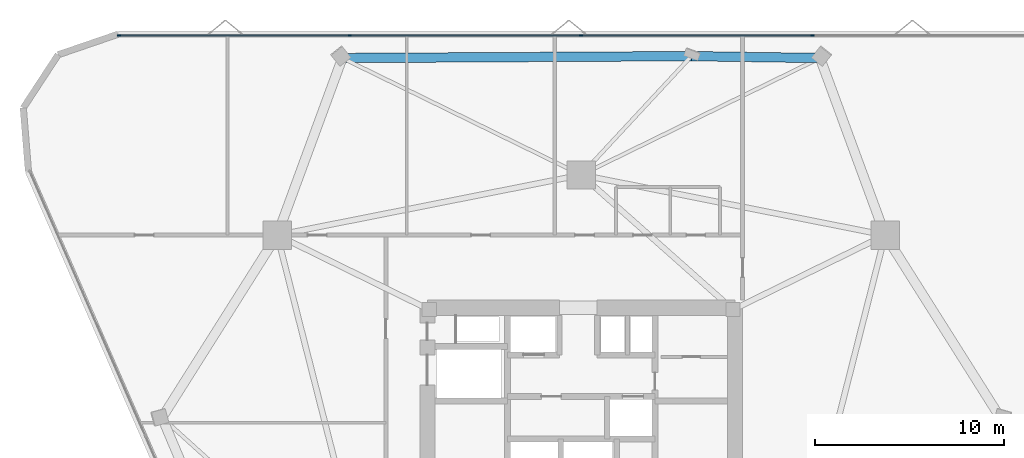
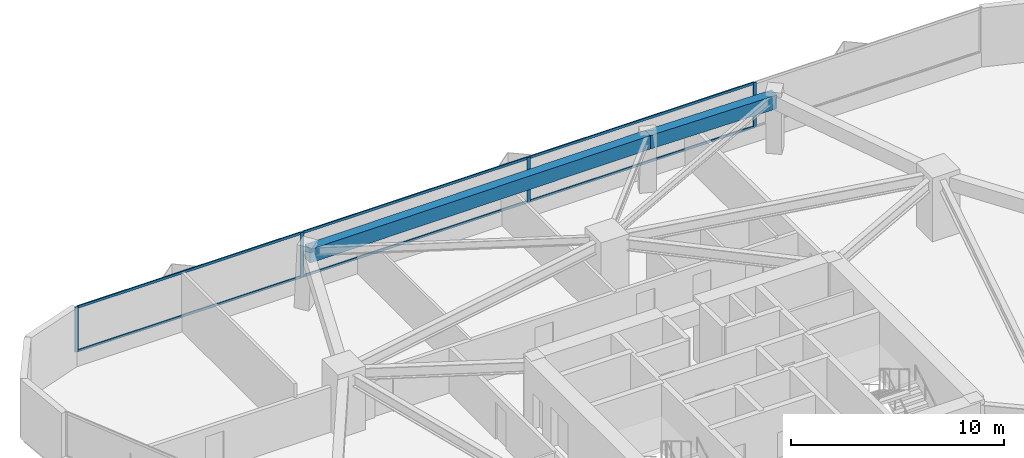
# One storey, part 8 of 15: 10 members, 2 beams, 1 element without a shape of its own.
"""IFC4 building model written with IfcOpenShell, lengths in metres."""

from ifc_helpers import new_model, si_unit, direction, frame, origin, origin_2d, place, context, subcontext, project, spatial, rectangle, extrude, material, layer, layer_set, material_profile, profile_set, type_object, element, aggregate, save


model = new_model("IFC4")

# Units and contexts
model_context = context("Model", 3, precision=1e-05, world=origin(), true_north=direction((0.0, 1.0)))
body_context = subcontext(model_context, "Body", "Model", "MODEL_VIEW")
ifc_project = project(units=[si_unit("LENGTHUNIT", "METRE"), si_unit("AREAUNIT", "SQUARE_METRE"), si_unit("VOLUMEUNIT", "CUBIC_METRE"), si_unit("PLANEANGLEUNIT", "RADIAN"), si_unit("MASSUNIT", "GRAM", prefix="KILO")], contexts=[model_context])

# Site, building, storey
site_placement = place(None, origin())
site = spatial("IfcSite", under=ifc_project, at=site_placement, CompositionType="ELEMENT")
building_placement = place(site_placement, origin())
building = spatial("IfcBuilding", under=site, at=building_placement, Name="Talyreon Biosciences Tower", CompositionType="ELEMENT")
storey_placement = place(building_placement, frame((0.0, 0.0, 127.199951171875)))
storey = spatial("IfcBuildingStorey", under=building, at=storey_placement, Name="L33", CompositionType="ELEMENT", Elevation=127.199951171875)

# Curtain wall, members
ifc_material_1 = material(Name="Thermally broken aluminium and low-E glazing", Category="aluminium")
ifc_layer = layer(ifc_material_1, 0.18505859375)
ifc_layer_set = layer_set([ifc_layer], Name="Thermally broken aluminium and low-E glazing")
curtain_wall_type = type_object("IfcCurtainWallType", Name="CurtainWall_Zone3Bioprocess", PredefinedType="NOTDEFINED", material=ifc_layer_set)
curtain_wall_placement = place(storey_placement, origin())
curtain_wall = element("IfcCurtainWall", 1, at=curtain_wall_placement, inside=storey, type_object=curtain_wall_type, Name="L33 Unitised Curtain Wall FCW-L33-04", PredefinedType="NOTDEFINED")
ifc_material_2 = material(Name="Anodised thermally broken aluminium", Category="aluminium")
ifc_material_profile_1 = material_profile(ifc_material_2, rectangle(XDim=0.06494140625, YDim=0.179931640625, at=origin_2d()), Name="ALUM MULLION 65x180")
ifc_profile_set_1 = profile_set([ifc_material_profile_1], Name="Anodised thermally broken aluminium")
member_type_1 = type_object("IfcMemberType", Name="CWMullion_65x180", PredefinedType="MULLION", material=ifc_profile_set_1)
member_1_placement = place(storey_placement, frame((41.509521484375, 89.173095703125, 0.81005859375), z_axis=(0.0, 0.0, 1.0), x_axis=(0.0, 1.0, 0.0)))
member_1 = element("IfcMember", 2, at=member_1_placement, type_object=member_type_1, Name="CW4 mullion 1", PredefinedType="MULLION", context=body_context, shape_type="SweptSolid", body=[
    extrude(rectangle(XDim=0.06494140625, YDim=0.179931640625, at=origin_2d()), origin(), (0.0, 0.0, 1.0), 2.56494140625),
])
member_2_placement = place(storey_placement, frame((53.738525390625, 89.173095703125, 0.81005859375), z_axis=(0.0, 0.0, 1.0), x_axis=(0.0, 1.0, 0.0)))
member_2 = element("IfcMember", 3, at=member_2_placement, type_object=member_type_1, Name="CW4 mullion 2", PredefinedType="MULLION", context=body_context, shape_type="SweptSolid", body=[
    extrude(rectangle(XDim=0.06494140625, YDim=0.179931640625, at=origin_2d()), origin(), (0.0, 0.0, 1.0), 2.56494140625),
])
member_3_placement = place(storey_placement, frame((66.0, 89.173095703125, 0.81005859375), z_axis=(0.0, 0.0, 1.0), x_axis=(0.0, 1.0, 0.0)))
member_3 = element("IfcMember", 4, at=member_3_placement, type_object=member_type_1, Name="CW4 mullion 3", PredefinedType="MULLION", context=body_context, shape_type="SweptSolid", body=[
    extrude(rectangle(XDim=0.06494140625, YDim=0.179931640625, at=origin_2d()), origin(), (0.0, 0.0, 1.0), 2.56494140625),
])
member_4_placement = place(storey_placement, frame((78.261474609375, 89.173095703125, 0.81005859375), z_axis=(0.0, 0.0, 1.0), x_axis=(0.0, 1.0, 0.0)))
member_4 = element("IfcMember", 5, at=member_4_placement, type_object=member_type_1, Name="CW4 mullion 4", PredefinedType="MULLION", context=body_context, shape_type="SweptSolid", body=[
    extrude(rectangle(XDim=0.06494140625, YDim=0.179931640625, at=origin_2d()), origin(), (0.0, 0.0, 1.0), 2.56494140625),
])
ifc_material_profile_2 = material_profile(ifc_material_2, rectangle(XDim=0.06494140625, YDim=0.139892578125, at=origin_2d()), Name="ALUM TRANSOM 65x140")
ifc_profile_set_2 = profile_set([ifc_material_profile_2], Name="Anodised thermally broken aluminium")
member_type_2 = type_object("IfcMemberType", Name="CWTransom_65x140", PredefinedType="USERDEFINED", material=ifc_profile_set_2)
member_5_placement = place(storey_placement, frame((41.5419921875, 89.173095703125, 0.842529296875), z_axis=(1.0, 0.0, 0.0), x_axis=(0.0, 1.0, 0.0)))
member_5 = element("IfcMember", 6, at=member_5_placement, type_object=member_type_2, Name="CW4 transom 1.1", ObjectType="TRANSOM", PredefinedType="USERDEFINED", context=body_context, shape_type="SweptSolid", body=[
    extrude(rectangle(XDim=0.06494140625, YDim=0.139892578125, at=origin_2d()), origin(), (0.0, 0.0, 1.0), 12.1640625),
])
member_6_placement = place(storey_placement, frame((41.5419921875, 89.173095703125, 3.342529296875), z_axis=(1.0, 0.0, 0.0), x_axis=(0.0, 1.0, 0.0)))
member_6 = element("IfcMember", 7, at=member_6_placement, type_object=member_type_2, Name="CW4 transom 1.2", ObjectType="TRANSOM", PredefinedType="USERDEFINED", context=body_context, shape_type="SweptSolid", body=[
    extrude(rectangle(XDim=0.06494140625, YDim=0.139892578125, at=origin_2d()), origin(), (0.0, 0.0, 1.0), 12.1640625),
])
member_7_placement = place(storey_placement, frame((53.77099609375, 89.173095703125, 0.842529296875), z_axis=(1.0, 0.0, 0.0), x_axis=(0.0, 1.0, 0.0)))
member_7 = element("IfcMember", 8, at=member_7_placement, type_object=member_type_2, Name="CW4 transom 2.1", ObjectType="TRANSOM", PredefinedType="USERDEFINED", context=body_context, shape_type="SweptSolid", body=[
    extrude(rectangle(XDim=0.06494140625, YDim=0.139892578125, at=origin_2d()), origin(), (0.0, 0.0, 1.0), 12.196533203125),
])
member_8_placement = place(storey_placement, frame((53.77099609375, 89.173095703125, 3.342529296875), z_axis=(1.0, 0.0, 0.0), x_axis=(0.0, 1.0, 0.0)))
member_8 = element("IfcMember", 9, at=member_8_placement, type_object=member_type_2, Name="CW4 transom 2.2", ObjectType="TRANSOM", PredefinedType="USERDEFINED", context=body_context, shape_type="SweptSolid", body=[
    extrude(rectangle(XDim=0.06494140625, YDim=0.139892578125, at=origin_2d()), origin(), (0.0, 0.0, 1.0), 12.196533203125),
])
member_9_placement = place(storey_placement, frame((66.032470703125, 89.173095703125, 0.842529296875), z_axis=(1.0, 0.0, 0.0), x_axis=(0.0, 1.0, 0.0)))
member_9 = element("IfcMember", 10, at=member_9_placement, type_object=member_type_2, Name="CW4 transom 3.1", ObjectType="TRANSOM", PredefinedType="USERDEFINED", context=body_context, shape_type="SweptSolid", body=[
    extrude(rectangle(XDim=0.06494140625, YDim=0.139892578125, at=origin_2d()), origin(), (0.0, 0.0, 1.0), 12.196533203125),
])
member_10_placement = place(storey_placement, frame((66.032470703125, 89.173095703125, 3.342529296875), z_axis=(1.0, 0.0, 0.0), x_axis=(0.0, 1.0, 0.0)))
member_10 = element("IfcMember", 11, at=member_10_placement, type_object=member_type_2, Name="CW4 transom 3.2", ObjectType="TRANSOM", PredefinedType="USERDEFINED", context=body_context, shape_type="SweptSolid", body=[
    extrude(rectangle(XDim=0.06494140625, YDim=0.139892578125, at=origin_2d()), origin(), (0.0, 0.0, 1.0), 12.196533203125),
])
aggregate(curtain_wall, [member_1, member_2, member_3, member_4, member_5, member_6, member_7, member_8, member_9, member_10])

# Beams
ifc_material_3 = material(Name="Precast concrete C45/55", Category="concrete")
ifc_material_profile_3 = material_profile(ifc_material_3, rectangle(XDim=0.5, YDim=0.780029296875, at=origin_2d()), Name="RCB 500x780")
ifc_profile_set_3 = profile_set([ifc_material_profile_3], Name="Precast concrete C45/55")
beam_type = type_object("IfcBeamType", Name="ExpressedSpandrel_500x780", PredefinedType="SPANDREL", material=ifc_profile_set_3)
beam_1_placement = place(storey_placement, frame((78.654052734375, 87.980712890625, 2.985107421875), z_axis=(-0.999892110575, 0.014689016637, 0.0), x_axis=(-0.014689016637, -0.999892110575, 0.0)))
element("IfcBeam", 12, at=beam_1_placement, inside=storey, type_object=beam_type, Name="L33 Expressed Horizontal Concrete Spandrel 06", PredefinedType="SPANDREL", context=body_context, shape_type="SweptSolid", body=[
    extrude(rectangle(XDim=0.5, YDim=0.780029296875, at=origin_2d()), origin(), (0.0, 0.0, 1.0), 6.814453125),
])
beam_2_placement = place(storey_placement, frame((71.84033203125, 88.080810546875, 2.985107421875), z_axis=(-0.999985353681, -0.005412247634, 0.0), x_axis=(0.005412247634, -0.999985353681, 0.0)))
element("IfcBeam", 13, at=beam_2_placement, inside=storey, type_object=beam_type, Name="L33 Expressed Horizontal Concrete Spandrel 07", PredefinedType="SPANDREL", context=body_context, shape_type="SweptSolid", body=[
    extrude(rectangle(XDim=0.5, YDim=0.780029296875, at=origin_2d()), origin(), (0.0, 0.0, 1.0), 18.49462890625),
])

save(model, "model.ifc")
